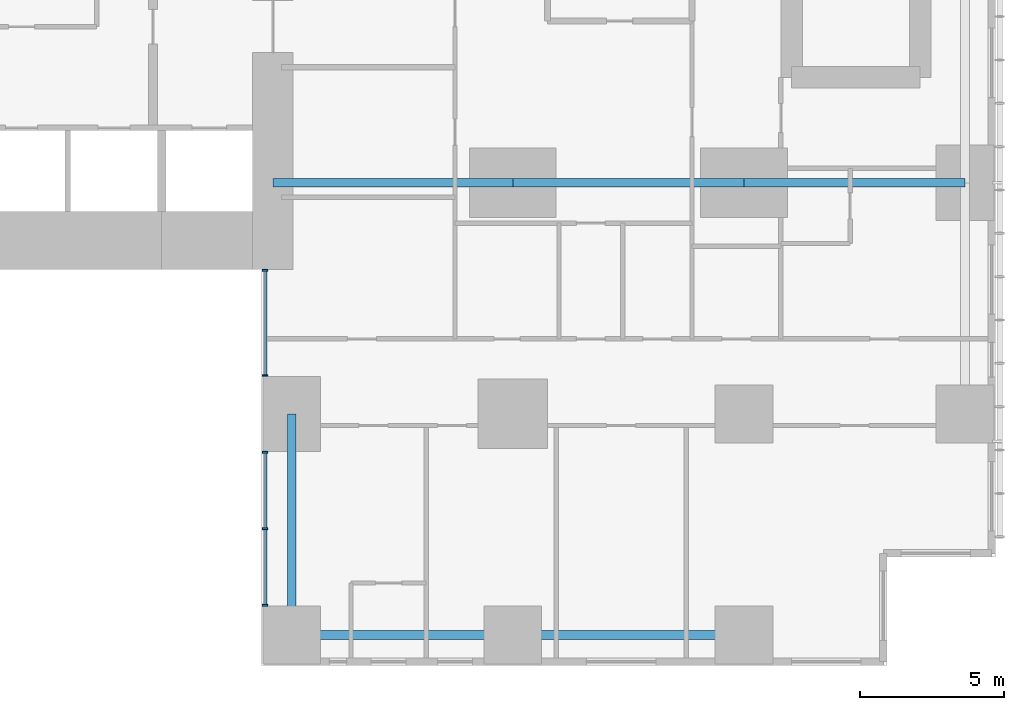
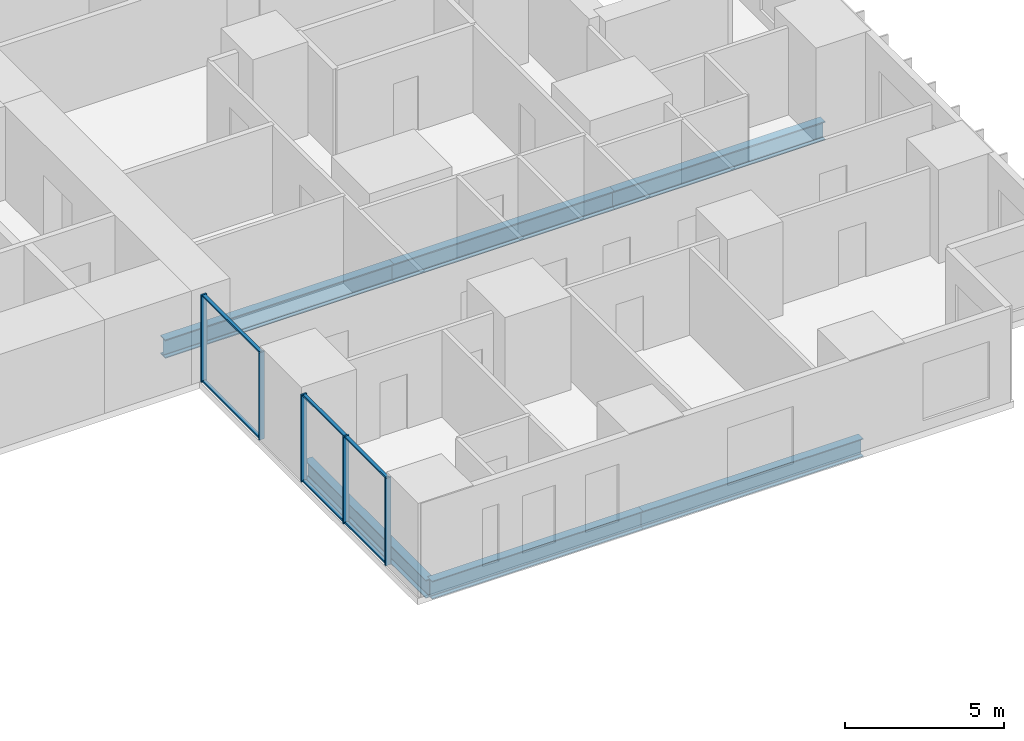
# One storey, part 3 of 20: 11 members, 6 beams, 2 elements without a shape of their own.
"""IFC4 building model written with IfcOpenShell, lengths in metres."""

import ifcopenshell
import ifcopenshell.guid

model = None  # the IFC model being written
_history = None  # IfcOwnerHistory: only IFC2X3 demands one
_inside = {}  # id of a spatial element -> (the spatial element, [elements in it])
_under = {}  # id of a project, library or spatial element -> (it, [spatial elements below it])
_declared = {}  # id of a project -> (the project, [libraries it declares])
_typed = {}  # id of a type object -> (the type object, [elements of that type])
_made_of = {}  # id of a material, layer set ... -> (it, [elements and type objects made of it])


def new_model(schema):
    """Start an empty IFC model of exactly this schema.

    Asked for "IFC4X3", IfcOpenShell would pick the latest addendum, in which some entities
    have other attributes; the version numbers below select the first issue.
    IFC2X3 requires an IfcOwnerHistory on every rooted entity: one is made here for all.
    """
    global model, _history
    if schema == "IFC4X3":
        model = ifcopenshell.file(schema_version=(4, 3, 0, 0))
    else:
        model = ifcopenshell.file(schema=schema)
    _inside.clear()
    _under.clear()
    _declared.clear()
    _typed.clear()
    _made_of.clear()
    _history = None
    if model.schema == "IFC2X3":
        org = make("IfcOrganization", Name="unknown")
        user = make(
            "IfcPersonAndOrganization",
            ThePerson=make("IfcPerson", FamilyName="unknown"),
            TheOrganization=org,
        )
        app = make(
            "IfcApplication",
            ApplicationDeveloper=org,
            Version="unknown",
            ApplicationFullName="unknown",
            ApplicationIdentifier="unknown",
        )
        _history = make(
            "IfcOwnerHistory",
            OwningUser=user,
            OwningApplication=app,
            ChangeAction="ADDED",
            CreationDate=0,
        )
    return model


def make(cls, **values):
    """One entity of the class cls with the attributes given. An attribute that is None is left unset."""
    return model.create_entity(
        cls, **{name: value for name, value in values.items() if value is not None}
    )


def rooted(cls, **values):
    """An entity with a GlobalId (a new one), such as an element, a storey or a relation."""
    return make(cls, GlobalId=ifcopenshell.guid.new(), OwnerHistory=_history, **values)


def si_unit(unit_type, name, prefix=None):
    """IfcSIUnit, for example si_unit("LENGTHUNIT", "METRE", prefix="MILLI")."""
    return make("IfcSIUnit", UnitType=unit_type, Prefix=prefix, Name=name)


def assignment(units):
    """IfcUnitAssignment: the units of a project."""
    return None if units is None else make("IfcUnitAssignment", Units=units)


def point(xyz):
    """IfcCartesianPoint."""
    return None if xyz is None else make("IfcCartesianPoint", Coordinates=xyz)


def direction(xyz):
    """IfcDirection."""
    return None if xyz is None else make("IfcDirection", DirectionRatios=xyz)


def frame(location, z_axis=None, x_axis=None):
    """IfcAxis2Placement3D, a coordinate frame: its origin and axes. An axis left out is left unset."""
    return make(
        "IfcAxis2Placement3D",
        Location=point(location),
        Axis=direction(z_axis),
        RefDirection=direction(x_axis),
    )


def frame_2d(location, x_axis=None):
    """IfcAxis2Placement2D, a coordinate frame in the plane: its origin and x axis."""
    return make(
        "IfcAxis2Placement2D", Location=point(location), RefDirection=direction(x_axis)
    )


def origin():
    """The frame at (0, 0, 0) with its axes left unset."""
    return frame((0.0, 0.0, 0.0))


def origin_2d():
    """The frame at (0, 0) in the plane with its x axis left unset."""
    return frame_2d((0.0, 0.0))


def place(relative_to, where):
    """IfcLocalPlacement: puts the frame where relative to a parent placement (None: the world)."""
    return make(
        "IfcLocalPlacement", PlacementRelTo=relative_to, RelativePlacement=where
    )


def context(
    kind, dimensions, precision=None, world=None, true_north=None, identifier=None
):
    """IfcGeometricRepresentationContext, for example the 3D "Model" context."""
    return make(
        "IfcGeometricRepresentationContext",
        ContextIdentifier=identifier,
        ContextType=kind,
        CoordinateSpaceDimension=dimensions,
        Precision=precision,
        WorldCoordinateSystem=world,
        TrueNorth=true_north,
    )


def subcontext(parent, identifier, kind, view, scale=None):
    """IfcGeometricRepresentationSubContext, for example "Body" below "Model"."""
    return make(
        "IfcGeometricRepresentationSubContext",
        ContextIdentifier=identifier,
        ContextType=kind,
        ParentContext=parent,
        TargetScale=scale,
        TargetView=view,
    )


def project(units=None, contexts=None):
    """IfcProject with its units and contexts."""
    return rooted(
        "IfcProject",
        Name="project",
        RepresentationContexts=contexts,
        UnitsInContext=assignment(units),
    )


def spatial(cls, under=None, at=None, **own):
    """A site, building, storey or space (cls), placed at a placement, below another one or the project."""
    s = rooted(cls, ObjectPlacement=at, **own)
    if under is not None:
        _under.setdefault(under.id(), (under, []))[1].append(s)
    return s


def profile(cls, at=None, kind="AREA", **sizes):
    """A parametric profile (cls). Its sizes go by their IFC names, for example OverallWidth=200.0."""
    return make(cls, ProfileType=kind, Position=at, **sizes)


def rectangle(**sizes):
    """IfcRectangleProfileDef."""
    return profile("IfcRectangleProfileDef", **sizes)


def i_section(**sizes):
    """IfcIShapeProfileDef."""
    return profile("IfcIShapeProfileDef", **sizes)


def extrude(swept, where, along, depth):
    """IfcExtrudedAreaSolid: the profile swept, set in the frame where, extruded along a direction by depth."""
    return make(
        "IfcExtrudedAreaSolid",
        SweptArea=swept,
        Position=where,
        ExtrudedDirection=direction(along),
        Depth=depth,
    )


def shape(context_of_items, identifier, shape_type, items):
    """IfcShapeRepresentation: the items that make up one representation, for example the "Body"."""
    return make(
        "IfcShapeRepresentation",
        ContextOfItems=context_of_items,
        RepresentationIdentifier=identifier,
        RepresentationType=shape_type,
        Items=items,
    )


def material(Name=None, Category=None):
    """IfcMaterial."""
    return make("IfcMaterial", Name=Name, Category=Category)


def layer(
    of_material, thickness, ventilated=None, Name=None, Category=None, Priority=None
):
    """IfcMaterialLayer: one layer of a wall or slab, of a material (None: an air gap)."""
    return make(
        "IfcMaterialLayer",
        Material=of_material,
        LayerThickness=thickness,
        IsVentilated=ventilated,
        Name=Name,
        Category=Category,
        Priority=Priority,
    )


def layer_set(layers, Name=None):
    """IfcMaterialLayerSet."""
    return make("IfcMaterialLayerSet", MaterialLayers=layers, LayerSetName=Name)


def material_profile(
    of_material, cross_section, Name=None, Category=None, Priority=None
):
    """IfcMaterialProfile: a cross section and its material."""
    return make(
        "IfcMaterialProfile",
        Name=Name,
        Material=of_material,
        Profile=cross_section,
        Priority=Priority,
        Category=Category,
    )


def profile_set(profiles, Name=None, composite=None):
    """IfcMaterialProfileSet."""
    return make(
        "IfcMaterialProfileSet",
        Name=Name,
        MaterialProfiles=profiles,
        CompositeProfile=composite,
    )


def made_of(thing, what):
    """Note that an element or type object is made of a material, layer set ...; save() writes the relation."""
    if what is not None:
        _made_of.setdefault(what.id(), (what, []))[1].append(thing)
    return thing


def type_object(cls, material=None, **own):
    """A type object (cls), such as IfcWallType, which elements share."""
    return made_of(rooted(cls, **own), material)


def element(
    cls,
    number,
    at=None,
    inside=None,
    cuts=None,
    type_object=None,
    material=None,
    context=None,
    identifier="Body",
    shape_type=None,
    held_by="IfcProductDefinitionShape",
    body=None,
    shapes=None,
    **own,
):
    """One element of the class cls, such as IfcWall. Its Tag is "e" and its number.

    at: its placement. inside: the storey or other place that contains it. cuts: it is an
    opening in that element (IfcRelVoidsElement). A single representation is given by context,
    identifier, shape_type and body (its items); several are given by shapes. held_by: the class
    of the entity that holds the representations. save() writes the other relations.
    """
    e = rooted(cls, Tag="e%d" % number, ObjectPlacement=at, **own)
    if body is not None:
        shapes = [shape(context, identifier, shape_type, body)]
    if shapes is not None:
        e.Representation = make(held_by, Representations=shapes)
    if inside is not None:
        _inside.setdefault(inside.id(), (inside, []))[1].append(e)
    if cuts is not None:
        rooted(
            "IfcRelVoidsElement", RelatingBuildingElement=cuts, RelatedOpeningElement=e
        )
    if type_object is not None:
        _typed.setdefault(type_object.id(), (type_object, []))[1].append(e)
    return made_of(e, material)


def aggregate(whole, parts):
    """IfcRelAggregates: a whole, such as a stair, and the parts it consists of."""
    return rooted("IfcRelAggregates", RelatingObject=whole, RelatedObjects=parts)


def save(model, path):
    """Write the relations noted so far, then the file.

    IfcRelAggregates (storeys below a building ...), IfcRelContainedInSpatialStructure (elements
    in a storey), IfcRelDefinesByType, IfcRelAssociatesMaterial and IfcRelDeclares: one each for
    every whole, place, type object, material and project.
    """
    for whole, parts in _under.values():
        aggregate(whole, parts)
    for where, things in _inside.values():
        rooted(
            "IfcRelContainedInSpatialStructure",
            RelatedElements=things,
            RelatingStructure=where,
        )
    for kind, things in _typed.values():
        rooted("IfcRelDefinesByType", RelatedObjects=things, RelatingType=kind)
    for what, things in _made_of.values():
        rooted("IfcRelAssociatesMaterial", RelatedObjects=things, RelatingMaterial=what)
    for by, libraries in _declared.values():
        rooted("IfcRelDeclares", RelatingContext=by, RelatedDefinitions=libraries)
    model.write(path)


model = new_model("IFC4")

# Units and contexts
model_context = context("Model", 3, precision=1e-05, world=origin(), true_north=direction((0.0, 1.0)))
body_context = subcontext(model_context, "Body", "Model", "MODEL_VIEW")
ifc_project = project(units=[si_unit("LENGTHUNIT", "METRE"), si_unit("AREAUNIT", "SQUARE_METRE"), si_unit("VOLUMEUNIT", "CUBIC_METRE"), si_unit("PLANEANGLEUNIT", "RADIAN"), si_unit("MASSUNIT", "GRAM", prefix="KILO")], contexts=[model_context])

# Site, building, storey
site_placement = place(None, origin())
site = spatial("IfcSite", under=ifc_project, at=site_placement, CompositionType="ELEMENT")
building_placement = place(site_placement, origin())
building = spatial("IfcBuilding", under=site, at=building_placement, Name="Cleftline Residences", CompositionType="ELEMENT")
storey_placement = place(building_placement, frame((0.0, 0.0, 99.800048828125)))
storey = spatial("IfcBuildingStorey", under=building, at=storey_placement, Name="L25", CompositionType="ELEMENT", Elevation=99.800048828125)

# Beams
ifc_material_1 = material(Name="Steel S355", Category="steel")
ifc_material_profile_1 = material_profile(ifc_material_1, i_section(OverallWidth=0.300048828125, OverallDepth=0.699951171875, WebThickness=0.01708984375, FlangeThickness=0.031982421875, FilletRadius=0.027099609375, at=origin_2d()))
ifc_profile_set_1 = profile_set([ifc_material_profile_1], Name="Steel S355")
beam_type_1 = type_object("IfcBeamType", Name="BEAM HEB 700", PredefinedType="BEAM", material=ifc_profile_set_1)
beam_1_placement = place(storey_placement, frame((58.0, 0.35009765625, -0.60009765625), z_axis=(-1.0, 0.0, 0.0), x_axis=(0.0, -1.0, 0.0)))
element("IfcBeam", 1, at=beam_1_placement, inside=storey, type_object=beam_type_1, Name="Edge beam", PredefinedType="BEAM", context=body_context, shape_type="SweptSolid", body=[
    extrude(i_section(OverallWidth=0.300048828125, OverallDepth=0.699951171875, WebThickness=0.01708984375, FlangeThickness=0.031982421875, FilletRadius=0.027099609375, at=origin_2d()), origin(), (0.0, 0.0, 1.0), 8.0),
])
for number, where, z_axis, x_axis, name in (
    (2, (50.0, 0.35009765625, -0.60009765625), (-1.0, 0.0, 0.0), (0.0, -1.0, 0.0), "Edge beam"),
    (3, (42.35009765625, 0.35009765625, -0.60009765625), (0.0, 1.0, 0.0), (-1.0, 0.0, 0.0), "Edge beam"),
):
    element("IfcBeam", number, at=place(storey_placement, frame(where, z_axis=z_axis, x_axis=x_axis)), inside=storey, type_object=beam_type_1, Name=name, PredefinedType="BEAM", context=body_context, shape_type="SweptSolid", body=[
        extrude(i_section(OverallWidth=0.300048828125, OverallDepth=0.699951171875, WebThickness=0.01708984375, FlangeThickness=0.031982421875, FilletRadius=0.027099609375, at=origin_2d()), origin(), (0.0, 0.0, 1.0), 7.64990234375),
    ])
ifc_material_2 = material(Name="Steel S355", Category="steel")
ifc_material_profile_2 = material_profile(ifc_material_2, i_section(OverallWidth=0.303955078125, OverallDepth=0.716064453125, WebThickness=0.02099609375, FlangeThickness=0.0400390625, FilletRadius=0.027099609375, at=origin_2d()))
ifc_profile_set_2 = profile_set([ifc_material_profile_2], Name="Steel S355")
beam_type_2 = type_object("IfcBeamType", Name="BEAM HEM 700", PredefinedType="BEAM", material=ifc_profile_set_2)
beam_2_placement = place(storey_placement, frame((65.64990234375, 16.0, -0.608154296875), z_axis=(-1.0, 0.0, 0.0), x_axis=(0.0, -1.0, 0.0)))
element("IfcBeam", 4, at=beam_2_placement, inside=storey, type_object=beam_type_2, Name="Band beam", PredefinedType="BEAM", context=body_context, shape_type="SweptSolid", body=[
    extrude(i_section(OverallWidth=0.303955078125, OverallDepth=0.716064453125, WebThickness=0.02099609375, FlangeThickness=0.0400390625, FilletRadius=0.027099609375, at=origin_2d()), origin(), (0.0, 0.0, 1.0), 7.64990234375),
])
beam_3_placement = place(storey_placement, frame((58.0, 16.0, -0.608154296875), z_axis=(-1.0, 0.0, 0.0), x_axis=(0.0, -1.0, 0.0)))
element("IfcBeam", 5, at=beam_3_placement, inside=storey, type_object=beam_type_2, Name="Band beam", PredefinedType="BEAM", context=body_context, shape_type="SweptSolid", body=[
    extrude(i_section(OverallWidth=0.303955078125, OverallDepth=0.716064453125, WebThickness=0.02099609375, FlangeThickness=0.0400390625, FilletRadius=0.027099609375, at=origin_2d()), origin(), (0.0, 0.0, 1.0), 8.0),
])
beam_4_placement = place(storey_placement, frame((50.0, 16.0, -0.608154296875), z_axis=(-1.0, 0.0, 0.0), x_axis=(0.0, -1.0, 0.0)))
element("IfcBeam", 6, at=beam_4_placement, inside=storey, type_object=beam_type_2, Name="Band beam", PredefinedType="BEAM", context=body_context, shape_type="SweptSolid", body=[
    extrude(i_section(OverallWidth=0.303955078125, OverallDepth=0.716064453125, WebThickness=0.02099609375, FlangeThickness=0.0400390625, FilletRadius=0.027099609375, at=origin_2d()), origin(), (0.0, 0.0, 1.0), 8.300048828125),
])

# Curtain wall, members
ifc_material_3 = material(Name="Aluminium framed curtain wall", Category="aluminium")
ifc_layer = layer(ifc_material_3, 0.199951171875)
ifc_layer_set = layer_set([ifc_layer], Name="CW1 CLEFT GLAZING")
curtain_wall_type = type_object("IfcCurtainWallType", Name="CW1 CLEFT GLAZING", PredefinedType="NOTDEFINED", material=ifc_layer_set)
curtain_wall_1_placement = place(storey_placement, origin())
curtain_wall_1 = element("IfcCurtainWall", 7, at=curtain_wall_1_placement, inside=storey, type_object=curtain_wall_type, Name="Curtain wall CW1", PredefinedType="NOTDEFINED")
ifc_material_4 = material(Name="Aluminium mullion", Category="aluminium")
ifc_material_profile_3 = material_profile(ifc_material_4, rectangle(XDim=0.199951171875, YDim=0.06005859375, at=origin_2d()))
ifc_profile_set_3 = profile_set([ifc_material_profile_3], Name="Aluminium mullion")
member_type_1 = type_object("IfcMemberType", Name="CW1 MULLION", PredefinedType="MULLION", material=ifc_profile_set_3)
member_1_placement = place(storey_placement, frame((41.425048828125, 12.969970703125, 0.0), z_axis=(0.0, 0.0, 1.0), x_axis=(1.0, 0.0, 0.0)))
member_1 = element("IfcMember", 8, at=member_1_placement, type_object=member_type_1, Name="CW1 mullion 1", PredefinedType="MULLION", context=body_context, shape_type="SweptSolid", body=[
    extrude(rectangle(XDim=0.199951171875, YDim=0.06005859375, at=origin_2d()), origin(), (0.0, 0.0, 1.0), 3.349853515625),
])
member_2_placement = place(storey_placement, frame((41.425048828125, 9.330078125, 0.0), z_axis=(0.0, 0.0, 1.0), x_axis=(1.0, 0.0, 0.0)))
member_2 = element("IfcMember", 9, at=member_2_placement, type_object=member_type_1, Name="CW1 mullion 2", PredefinedType="MULLION", context=body_context, shape_type="SweptSolid", body=[
    extrude(rectangle(XDim=0.199951171875, YDim=0.06005859375, at=origin_2d()), origin(), (0.0, 0.0, 1.0), 3.349853515625),
])

curtain_wall_2_placement = place(storey_placement, origin())
curtain_wall_2 = element("IfcCurtainWall", 10, at=curtain_wall_2_placement, inside=storey, type_object=curtain_wall_type, Name="Curtain wall CW1", PredefinedType="NOTDEFINED")
member_3_placement = place(storey_placement, frame((41.425048828125, 6.669921875, 0.0), z_axis=(0.0, 0.0, 1.0), x_axis=(1.0, 0.0, 0.0)))
member_3 = element("IfcMember", 11, at=member_3_placement, type_object=member_type_1, Name="CW1 mullion 1", PredefinedType="MULLION", context=body_context, shape_type="SweptSolid", body=[
    extrude(rectangle(XDim=0.199951171875, YDim=0.06005859375, at=origin_2d()), origin(), (0.0, 0.0, 1.0), 3.349853515625),
])
member_4_placement = place(storey_placement, frame((41.425048828125, 4.02490234375, 0.0), z_axis=(0.0, 0.0, 1.0), x_axis=(1.0, 0.0, 0.0)))
member_4 = element("IfcMember", 12, at=member_4_placement, type_object=member_type_1, Name="CW1 mullion 2", PredefinedType="MULLION", context=body_context, shape_type="SweptSolid", body=[
    extrude(rectangle(XDim=0.199951171875, YDim=0.06005859375, at=origin_2d()), origin(), (0.0, 0.0, 1.0), 3.349853515625),
])
member_5_placement = place(storey_placement, frame((41.425048828125, 1.3798828125, 0.0), z_axis=(0.0, 0.0, 1.0), x_axis=(1.0, 0.0, 0.0)))
member_5 = element("IfcMember", 13, at=member_5_placement, type_object=member_type_1, Name="CW1 mullion 3", PredefinedType="MULLION", context=body_context, shape_type="SweptSolid", body=[
    extrude(rectangle(XDim=0.199951171875, YDim=0.06005859375, at=origin_2d()), origin(), (0.0, 0.0, 1.0), 3.349853515625),
])

# Member
ifc_material_5 = material(Name="Aluminium transom", Category="aluminium")
ifc_material_profile_4 = material_profile(ifc_material_5, rectangle(XDim=0.1201171875, YDim=0.06005859375, at=origin_2d()))
ifc_profile_set_4 = profile_set([ifc_material_profile_4], Name="Aluminium transom")
member_type_2 = type_object("IfcMemberType", Name="CW1 TRANSOM", PredefinedType="USERDEFINED", material=ifc_profile_set_4)
member_6_placement = place(storey_placement, frame((41.425048828125, 12.93994140625, 0.030029296875), z_axis=(0.0, -1.0, 0.0), x_axis=(1.0, 0.0, 0.0)))
member_6 = element("IfcMember", 14, at=member_6_placement, type_object=member_type_2, Name="CW1 transom 1.1", ObjectType="TRANSOM", PredefinedType="USERDEFINED", context=body_context, shape_type="SweptSolid", body=[
    extrude(rectangle(XDim=0.1201171875, YDim=0.06005859375, at=origin_2d()), origin(), (0.0, 0.0, 1.0), 3.579833984375),
])

member_7_placement = place(storey_placement, frame((41.425048828125, 12.93994140625, 3.320068359375), z_axis=(0.0, -1.0, 0.0), x_axis=(1.0, 0.0, 0.0)))
member_7 = element("IfcMember", 15, at=member_7_placement, type_object=member_type_2, Name="CW1 transom 1.2", ObjectType="TRANSOM", PredefinedType="USERDEFINED", context=body_context, shape_type="SweptSolid", body=[
    extrude(rectangle(XDim=0.1201171875, YDim=0.06005859375, at=origin_2d()), origin(), (0.0, 0.0, 1.0), 3.579833984375),
])

aggregate(curtain_wall_1, [member_1, member_2, member_6, member_7])

member_8_placement = place(storey_placement, frame((41.425048828125, 6.639892578125, 0.030029296875), z_axis=(0.0, -1.0, 0.0), x_axis=(1.0, 0.0, 0.0)))
member_8 = element("IfcMember", 16, at=member_8_placement, type_object=member_type_2, Name="CW1 transom 1.1", ObjectType="TRANSOM", PredefinedType="USERDEFINED", context=body_context, shape_type="SweptSolid", body=[
    extrude(rectangle(XDim=0.1201171875, YDim=0.06005859375, at=origin_2d()), origin(), (0.0, 0.0, 1.0), 2.5849609375),
])

member_9_placement = place(storey_placement, frame((41.425048828125, 6.639892578125, 3.320068359375), z_axis=(0.0, -1.0, 0.0), x_axis=(1.0, 0.0, 0.0)))
member_9 = element("IfcMember", 17, at=member_9_placement, type_object=member_type_2, Name="CW1 transom 1.2", ObjectType="TRANSOM", PredefinedType="USERDEFINED", context=body_context, shape_type="SweptSolid", body=[
    extrude(rectangle(XDim=0.1201171875, YDim=0.06005859375, at=origin_2d()), origin(), (0.0, 0.0, 1.0), 2.5849609375),
])

member_10_placement = place(storey_placement, frame((41.425048828125, 3.9951171875, 0.030029296875), z_axis=(0.0, -1.0, 0.0), x_axis=(1.0, 0.0, 0.0)))
member_10 = element("IfcMember", 18, at=member_10_placement, type_object=member_type_2, Name="CW1 transom 2.1", ObjectType="TRANSOM", PredefinedType="USERDEFINED", context=body_context, shape_type="SweptSolid", body=[
    extrude(rectangle(XDim=0.1201171875, YDim=0.06005859375, at=origin_2d()), origin(), (0.0, 0.0, 1.0), 2.585205078125),
])

member_11_placement = place(storey_placement, frame((41.425048828125, 3.9951171875, 3.320068359375), z_axis=(0.0, -1.0, 0.0), x_axis=(1.0, 0.0, 0.0)))
member_11 = element("IfcMember", 19, at=member_11_placement, type_object=member_type_2, Name="CW1 transom 2.2", ObjectType="TRANSOM", PredefinedType="USERDEFINED", context=body_context, shape_type="SweptSolid", body=[
    extrude(rectangle(XDim=0.1201171875, YDim=0.06005859375, at=origin_2d()), origin(), (0.0, 0.0, 1.0), 2.585205078125),
])

aggregate(curtain_wall_2, [member_3, member_4, member_5, member_8, member_9, member_10, member_11])

save(model, "model.ifc")
